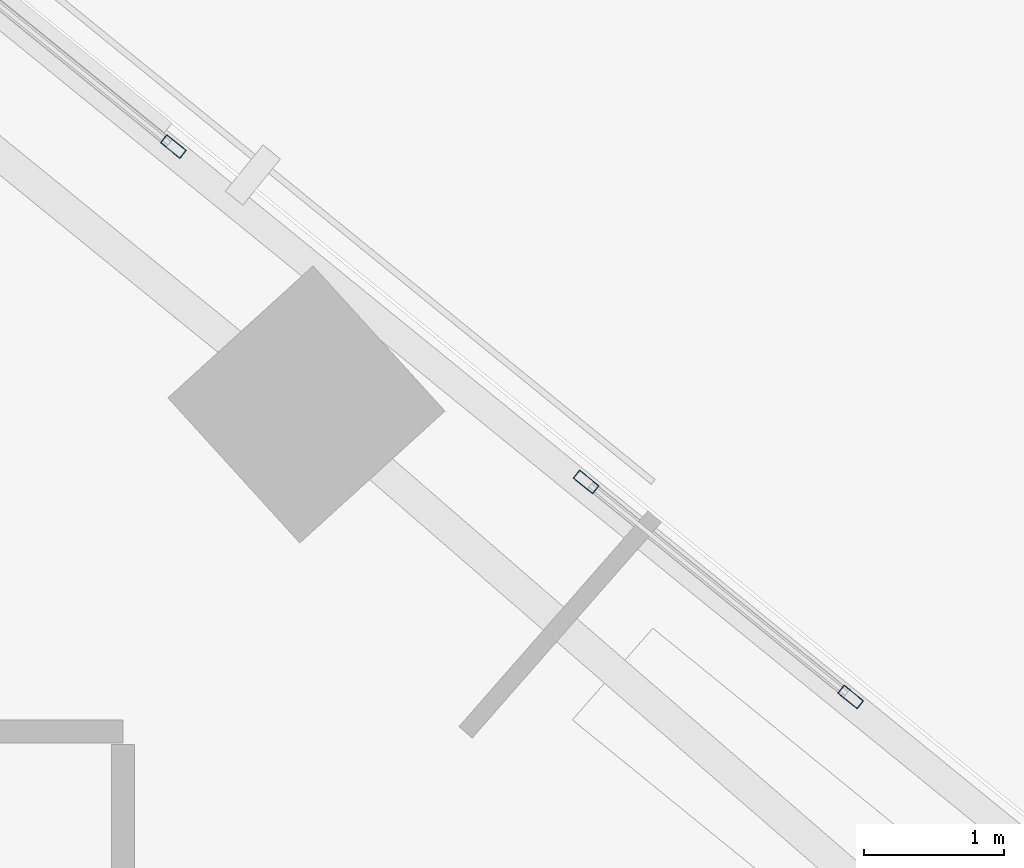
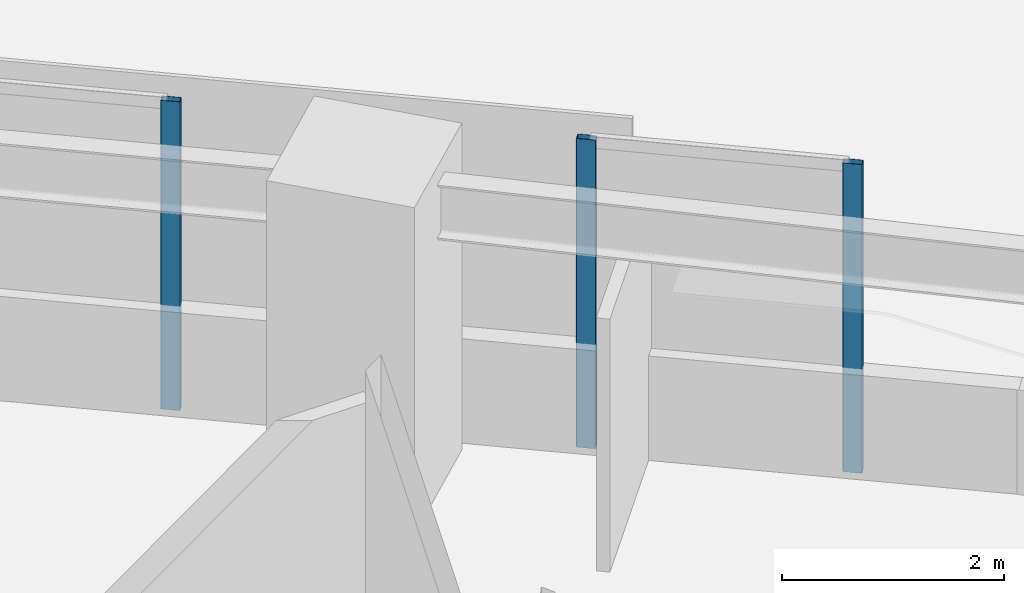
# One storey, part 2 of 19: 3 members, 2 elements without a shape of their own.
"""IFC4 building model written with IfcOpenShell, lengths in metres."""

import ifcopenshell
import ifcopenshell.guid

model = None  # the IFC model being written
_history = None  # IfcOwnerHistory: only IFC2X3 demands one
_inside = {}  # id of a spatial element -> (the spatial element, [elements in it])
_under = {}  # id of a project, library or spatial element -> (it, [spatial elements below it])
_declared = {}  # id of a project -> (the project, [libraries it declares])
_typed = {}  # id of a type object -> (the type object, [elements of that type])
_made_of = {}  # id of a material, layer set ... -> (it, [elements and type objects made of it])


def new_model(schema):
    """Start an empty IFC model of exactly this schema.

    Asked for "IFC4X3", IfcOpenShell would pick the latest addendum, in which some entities
    have other attributes; the version numbers below select the first issue.
    IFC2X3 requires an IfcOwnerHistory on every rooted entity: one is made here for all.
    """
    global model, _history
    if schema == "IFC4X3":
        model = ifcopenshell.file(schema_version=(4, 3, 0, 0))
    else:
        model = ifcopenshell.file(schema=schema)
    _inside.clear()
    _under.clear()
    _declared.clear()
    _typed.clear()
    _made_of.clear()
    _history = None
    if model.schema == "IFC2X3":
        org = make("IfcOrganization", Name="unknown")
        user = make(
            "IfcPersonAndOrganization",
            ThePerson=make("IfcPerson", FamilyName="unknown"),
            TheOrganization=org,
        )
        app = make(
            "IfcApplication",
            ApplicationDeveloper=org,
            Version="unknown",
            ApplicationFullName="unknown",
            ApplicationIdentifier="unknown",
        )
        _history = make(
            "IfcOwnerHistory",
            OwningUser=user,
            OwningApplication=app,
            ChangeAction="ADDED",
            CreationDate=0,
        )
    return model


def make(cls, **values):
    """One entity of the class cls with the attributes given. An attribute that is None is left unset."""
    return model.create_entity(
        cls, **{name: value for name, value in values.items() if value is not None}
    )


def rooted(cls, **values):
    """An entity with a GlobalId (a new one), such as an element, a storey or a relation."""
    return make(cls, GlobalId=ifcopenshell.guid.new(), OwnerHistory=_history, **values)


def si_unit(unit_type, name, prefix=None):
    """IfcSIUnit, for example si_unit("LENGTHUNIT", "METRE", prefix="MILLI")."""
    return make("IfcSIUnit", UnitType=unit_type, Prefix=prefix, Name=name)


def assignment(units):
    """IfcUnitAssignment: the units of a project."""
    return None if units is None else make("IfcUnitAssignment", Units=units)


def point(xyz):
    """IfcCartesianPoint."""
    return None if xyz is None else make("IfcCartesianPoint", Coordinates=xyz)


def direction(xyz):
    """IfcDirection."""
    return None if xyz is None else make("IfcDirection", DirectionRatios=xyz)


def frame(location, z_axis=None, x_axis=None):
    """IfcAxis2Placement3D, a coordinate frame: its origin and axes. An axis left out is left unset."""
    return make(
        "IfcAxis2Placement3D",
        Location=point(location),
        Axis=direction(z_axis),
        RefDirection=direction(x_axis),
    )


def frame_2d(location, x_axis=None):
    """IfcAxis2Placement2D, a coordinate frame in the plane: its origin and x axis."""
    return make(
        "IfcAxis2Placement2D", Location=point(location), RefDirection=direction(x_axis)
    )


def origin():
    """The frame at (0, 0, 0) with its axes left unset."""
    return frame((0.0, 0.0, 0.0))


def origin_2d():
    """The frame at (0, 0) in the plane with its x axis left unset."""
    return frame_2d((0.0, 0.0))


def place(relative_to, where):
    """IfcLocalPlacement: puts the frame where relative to a parent placement (None: the world)."""
    return make(
        "IfcLocalPlacement", PlacementRelTo=relative_to, RelativePlacement=where
    )


def context(
    kind, dimensions, precision=None, world=None, true_north=None, identifier=None
):
    """IfcGeometricRepresentationContext, for example the 3D "Model" context."""
    return make(
        "IfcGeometricRepresentationContext",
        ContextIdentifier=identifier,
        ContextType=kind,
        CoordinateSpaceDimension=dimensions,
        Precision=precision,
        WorldCoordinateSystem=world,
        TrueNorth=true_north,
    )


def subcontext(parent, identifier, kind, view, scale=None):
    """IfcGeometricRepresentationSubContext, for example "Body" below "Model"."""
    return make(
        "IfcGeometricRepresentationSubContext",
        ContextIdentifier=identifier,
        ContextType=kind,
        ParentContext=parent,
        TargetScale=scale,
        TargetView=view,
    )


def project(units=None, contexts=None):
    """IfcProject with its units and contexts."""
    return rooted(
        "IfcProject",
        Name="project",
        RepresentationContexts=contexts,
        UnitsInContext=assignment(units),
    )


def spatial(cls, under=None, at=None, **own):
    """A site, building, storey or space (cls), placed at a placement, below another one or the project."""
    s = rooted(cls, ObjectPlacement=at, **own)
    if under is not None:
        _under.setdefault(under.id(), (under, []))[1].append(s)
    return s


def profile(cls, at=None, kind="AREA", **sizes):
    """A parametric profile (cls). Its sizes go by their IFC names, for example OverallWidth=200.0."""
    return make(cls, ProfileType=kind, Position=at, **sizes)


def hollow_rectangle(**sizes):
    """IfcRectangleHollowProfileDef."""
    return profile("IfcRectangleHollowProfileDef", **sizes)


def extrude(swept, where, along, depth):
    """IfcExtrudedAreaSolid: the profile swept, set in the frame where, extruded along a direction by depth."""
    return make(
        "IfcExtrudedAreaSolid",
        SweptArea=swept,
        Position=where,
        ExtrudedDirection=direction(along),
        Depth=depth,
    )


def shape(context_of_items, identifier, shape_type, items):
    """IfcShapeRepresentation: the items that make up one representation, for example the "Body"."""
    return make(
        "IfcShapeRepresentation",
        ContextOfItems=context_of_items,
        RepresentationIdentifier=identifier,
        RepresentationType=shape_type,
        Items=items,
    )


def material(Name=None, Category=None):
    """IfcMaterial."""
    return make("IfcMaterial", Name=Name, Category=Category)


def material_profile(
    of_material, cross_section, Name=None, Category=None, Priority=None
):
    """IfcMaterialProfile: a cross section and its material."""
    return make(
        "IfcMaterialProfile",
        Name=Name,
        Material=of_material,
        Profile=cross_section,
        Priority=Priority,
        Category=Category,
    )


def profile_set(profiles, Name=None, composite=None):
    """IfcMaterialProfileSet."""
    return make(
        "IfcMaterialProfileSet",
        Name=Name,
        MaterialProfiles=profiles,
        CompositeProfile=composite,
    )


def made_of(thing, what):
    """Note that an element or type object is made of a material, layer set ...; save() writes the relation."""
    if what is not None:
        _made_of.setdefault(what.id(), (what, []))[1].append(thing)
    return thing


def type_object(cls, material=None, **own):
    """A type object (cls), such as IfcWallType, which elements share."""
    return made_of(rooted(cls, **own), material)


def element(
    cls,
    number,
    at=None,
    inside=None,
    cuts=None,
    type_object=None,
    material=None,
    context=None,
    identifier="Body",
    shape_type=None,
    held_by="IfcProductDefinitionShape",
    body=None,
    shapes=None,
    **own,
):
    """One element of the class cls, such as IfcWall. Its Tag is "e" and its number.

    at: its placement. inside: the storey or other place that contains it. cuts: it is an
    opening in that element (IfcRelVoidsElement). A single representation is given by context,
    identifier, shape_type and body (its items); several are given by shapes. held_by: the class
    of the entity that holds the representations. save() writes the other relations.
    """
    e = rooted(cls, Tag="e%d" % number, ObjectPlacement=at, **own)
    if body is not None:
        shapes = [shape(context, identifier, shape_type, body)]
    if shapes is not None:
        e.Representation = make(held_by, Representations=shapes)
    if inside is not None:
        _inside.setdefault(inside.id(), (inside, []))[1].append(e)
    if cuts is not None:
        rooted(
            "IfcRelVoidsElement", RelatingBuildingElement=cuts, RelatedOpeningElement=e
        )
    if type_object is not None:
        _typed.setdefault(type_object.id(), (type_object, []))[1].append(e)
    return made_of(e, material)


def aggregate(whole, parts):
    """IfcRelAggregates: a whole, such as a stair, and the parts it consists of."""
    return rooted("IfcRelAggregates", RelatingObject=whole, RelatedObjects=parts)


def save(model, path):
    """Write the relations noted so far, then the file.

    IfcRelAggregates (storeys below a building ...), IfcRelContainedInSpatialStructure (elements
    in a storey), IfcRelDefinesByType, IfcRelAssociatesMaterial and IfcRelDeclares: one each for
    every whole, place, type object, material and project.
    """
    for whole, parts in _under.values():
        aggregate(whole, parts)
    for where, things in _inside.values():
        rooted(
            "IfcRelContainedInSpatialStructure",
            RelatedElements=things,
            RelatingStructure=where,
        )
    for kind, things in _typed.values():
        rooted("IfcRelDefinesByType", RelatedObjects=things, RelatingType=kind)
    for what, things in _made_of.values():
        rooted("IfcRelAssociatesMaterial", RelatedObjects=things, RelatingMaterial=what)
    for by, libraries in _declared.values():
        rooted("IfcRelDeclares", RelatingContext=by, RelatedDefinitions=libraries)
    model.write(path)


model = new_model("IFC4")

# Units and contexts
model_context = context("Model", 3, precision=1e-05, world=origin(), true_north=direction((0.0, 1.0)))
body_context = subcontext(model_context, "Body", "Model", "MODEL_VIEW")
ifc_project = project(units=[si_unit("LENGTHUNIT", "METRE"), si_unit("AREAUNIT", "SQUARE_METRE"), si_unit("VOLUMEUNIT", "CUBIC_METRE"), si_unit("PLANEANGLEUNIT", "RADIAN"), si_unit("MASSUNIT", "GRAM", prefix="KILO")], contexts=[model_context])

# Site, building, storey
site_placement = place(None, origin())
site = spatial("IfcSite", under=ifc_project, at=site_placement, CompositionType="ELEMENT")
building_placement = place(site_placement, origin())
building = spatial("IfcBuilding", under=site, at=building_placement, Name="Narakoshi Arena Tower", CompositionType="ELEMENT")
storey_placement = place(building_placement, frame((0.0, 0.0, 26.699951171875)))
storey = spatial("IfcBuildingStorey", under=building, at=storey_placement, Name="L06", CompositionType="ELEMENT", Elevation=26.699951171875)

# Curtain wall, members
ifc_material = material(Name="Anodised bronze aluminium 6063-T6", Category="aluminium")
curtain_wall_type = type_object("IfcCurtainWallType", Name="CW-HYP-LOW", PredefinedType="NOTDEFINED", material=ifc_material)
curtain_wall_1_placement = place(storey_placement, origin())
curtain_wall_1 = element("IfcCurtainWall", 1, at=curtain_wall_1_placement, inside=storey, type_object=curtain_wall_type, Name="L06 Folded Hypotenuse Curtain Wall 2-1", PredefinedType="NOTDEFINED")
ifc_material_profile = material_profile(ifc_material, hollow_rectangle(XDim=0.074951171875, YDim=0.179931640625, WallThickness=0.00390625, OuterFilletRadius=0.0048828125, at=origin_2d()), Name="MUL180x75x4")
ifc_profile_set = profile_set([ifc_material_profile], Name="Anodised bronze aluminium 6063-T6")
member_type = type_object("IfcMemberType", Name="MEM-MUL-180", PredefinedType="MULLION", material=ifc_profile_set)
member_1_placement = place(storey_placement, frame((93.34521484375, 59.196533203125, 0.0), z_axis=(0.0, 0.0, 1.0), x_axis=(-0.63072316495, -0.776007918256, 0.0)))
member_1 = element("IfcMember", 2, at=member_1_placement, type_object=member_type, Name="CW-01 mullion 1", PredefinedType="MULLION", context=body_context, shape_type="SweptSolid", body=[
    extrude(hollow_rectangle(XDim=0.074951171875, YDim=0.179931640625, WallThickness=0.00390625, OuterFilletRadius=0.0048828125, at=origin_2d()), origin(), (0.0, 0.0, 1.0), 3.400146484375),
])
member_2_placement = place(storey_placement, frame((91.45654296875, 60.731689453125, 0.0), z_axis=(0.0, 0.0, 1.0), x_axis=(-0.63072316495, -0.776007918256, 0.0)))
member_2 = element("IfcMember", 3, at=member_2_placement, type_object=member_type, Name="CW-01 mullion 2", PredefinedType="MULLION", context=body_context, shape_type="SweptSolid", body=[
    extrude(hollow_rectangle(XDim=0.074951171875, YDim=0.179931640625, WallThickness=0.00390625, OuterFilletRadius=0.0048828125, at=origin_2d()), origin(), (0.0, 0.0, 1.0), 3.400146484375),
])
aggregate(curtain_wall_1, [member_1, member_2])

# Curtain wall, member
curtain_wall_2_placement = place(storey_placement, origin())
curtain_wall_2 = element("IfcCurtainWall", 4, at=curtain_wall_2_placement, inside=storey, type_object=curtain_wall_type, Name="L06 Folded Hypotenuse Curtain Wall 2-2", PredefinedType="NOTDEFINED")
member_3_placement = place(storey_placement, frame((88.509521484375, 63.126953125, 0.0), z_axis=(0.0, 0.0, 1.0), x_axis=(-0.630734833051, -0.775998434519, 0.0)))
member_3 = element("IfcMember", 5, at=member_3_placement, type_object=member_type, Name="CW-01 mullion 1", PredefinedType="MULLION", context=body_context, shape_type="SweptSolid", body=[
    extrude(hollow_rectangle(XDim=0.074951171875, YDim=0.179931640625, WallThickness=0.00390625, OuterFilletRadius=0.0048828125, at=origin_2d()), origin(), (0.0, 0.0, 1.0), 3.400146484375),
])
aggregate(curtain_wall_2, [member_3])

save(model, "model.ifc")
